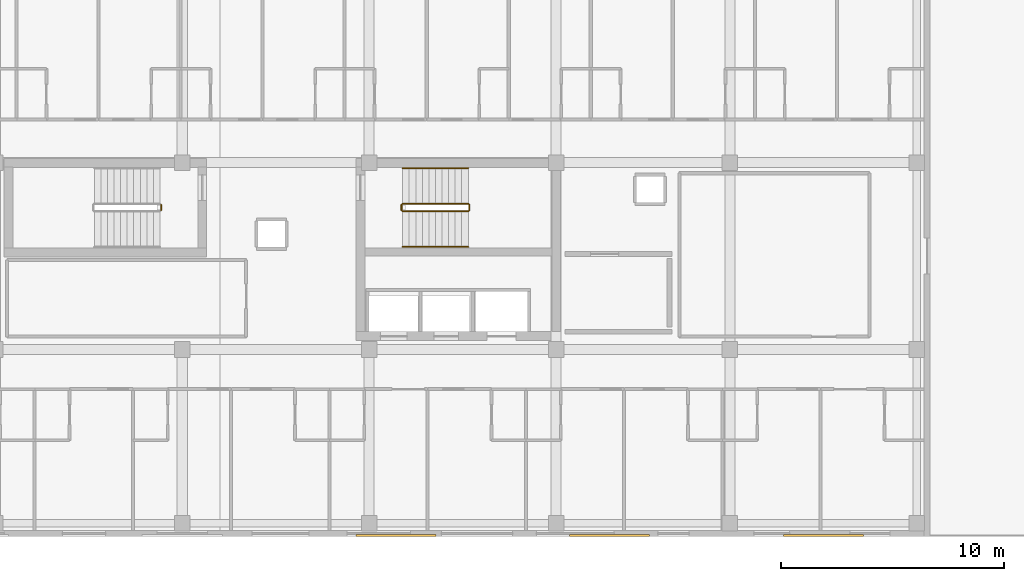
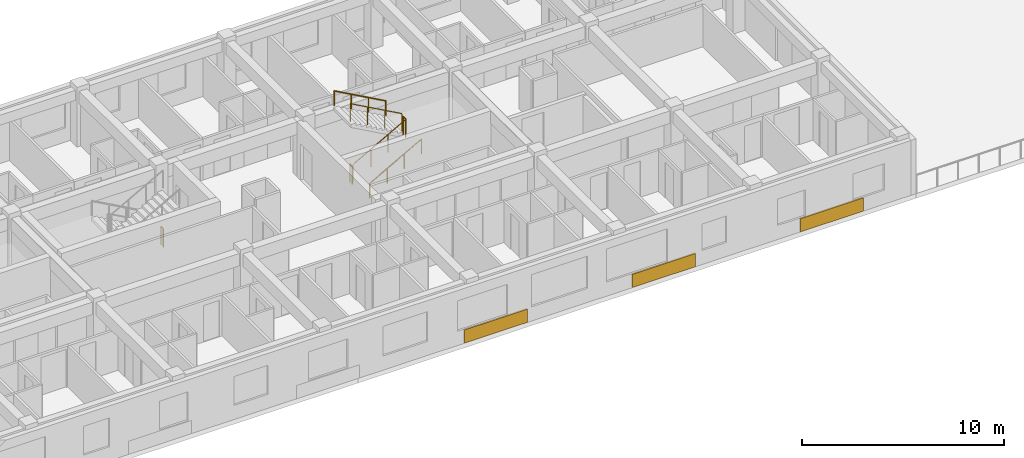
# One storey, part 12 of 13: 7 railings, 3 coverings.
"""IFC4 building model written with IfcOpenShell, lengths in metres."""

from ifc_helpers import new_model, si_unit, direction, frame, origin, origin_2d, place, context, subcontext, project, spatial, rectangle, circle, extrude, material, layer, layer_set, type_object, element, save


model = new_model("IFC4")

# Units and contexts
model_context = context("Model", 3, precision=1e-05, world=origin(), true_north=direction((0.0, 1.0)))
body_context = subcontext(model_context, "Body", "Model", "MODEL_VIEW")
ifc_project = project(units=[si_unit("LENGTHUNIT", "METRE"), si_unit("AREAUNIT", "SQUARE_METRE"), si_unit("VOLUMEUNIT", "CUBIC_METRE"), si_unit("PLANEANGLEUNIT", "RADIAN"), si_unit("MASSUNIT", "GRAM", prefix="KILO")], contexts=[model_context])

# Site, building, storey
site_placement = place(None, origin())
site = spatial("IfcSite", under=ifc_project, at=site_placement, CompositionType="ELEMENT")
building_placement = place(site_placement, origin())
building = spatial("IfcBuilding", under=site, at=building_placement, Name="Zayran Congress Hotel", CompositionType="ELEMENT")
storey_placement = place(building_placement, frame((0.0, 0.0, 22.800048828125)))
storey = spatial("IfcBuildingStorey", under=building, at=storey_placement, Name="L05", CompositionType="ELEMENT", Elevation=22.800048828125)

# Coverings
ifc_material_1 = material(Name="Ochre geometric bas-relief Hajar Ma'ani stone", Category="masonry")
ifc_layer = layer(ifc_material_1, 0.090087890625)
ifc_layer_set = layer_set([ifc_layer], Name="Ochre geometric bas-relief Hajar Ma'ani stone")
covering_type = type_object("IfcCoveringType", Name="TP-CLD-01", PredefinedType="CLADDING", material=ifc_layer_set)
for number, where, z_axis, x_axis, name in (
    (1, (51.60009765625, 8.844970703125, 0.0), (0.0, 0.0, 1.0), (1.0, 0.0, 0.0), "CLD-V5S-L05-4"),
    (2, (61.199951171875, 8.844970703125, 0.0), (0.0, 0.0, 1.0), (1.0, 0.0, 0.0), "CLD-V5S-L05-5"),
    (3, (70.800048828125, 8.844970703125, 0.0), (0.0, 0.0, 1.0), (1.0, 0.0, 0.0), "CLD-V5S-L05-6"),
):
    element("IfcCovering", number, at=place(storey_placement, frame(where, z_axis=z_axis, x_axis=x_axis)), inside=storey, type_object=covering_type, Name=name, PredefinedType="CLADDING", context=body_context, shape_type="SweptSolid", body=[
        extrude(rectangle(XDim=3.60009765625, YDim=0.090087890625, at=origin_2d()), origin(), (0.0, 0.0, 1.0), 0.800048828125),
    ])

# Railings
ifc_material_2 = material(Name="Painted steel balustrade", Category="steel")
railing_type_1 = type_object("IfcRailingType", Name="TP-GRD-INT", PredefinedType="GUARDRAIL", material=ifc_material_2)
railing_1_placement = place(storey_placement, frame((51.89990234375, 23.409912109375, 0.16357421875)))
element("IfcRailing", 4, at=railing_1_placement, inside=storey, type_object=railing_type_1, Name="L05 ST-02 stair guard 1", PredefinedType="GUARDRAIL", context=body_context, shape_type="SweptSolid", body=[
    extrude(circle(Radius=0.02392578125, at=origin_2d()), frame((0.0, 0.0, 1.076171875), z_axis=(0.87447454536, 0.0, 0.485071406616), x_axis=(0.0, 1.0, 0.0)), (0.0, 0.0, 1.0), 3.373779296875),
    extrude(circle(Radius=0.02099609375, at=origin_2d()), origin(), (0.0, 0.0, 1.0), 1.052001953125),
    extrude(circle(Radius=0.02099609375, at=origin_2d()), frame((0.9833984375, 0.0, 0.54541015625)), (0.0, 0.0, 1.0), 1.052001953125),
    extrude(circle(Radius=0.02099609375, at=origin_2d()), frame((1.966796875, 0.0, 1.091064453125)), (0.0, 0.0, 1.0), 1.052001953125),
    extrude(circle(Radius=0.02099609375, at=origin_2d()), frame((2.9501953125, 0.0, 1.636474609375)), (0.0, 0.0, 1.0), 1.052001953125),
])
railing_2_placement = place(storey_placement, frame((54.89990234375, 23.4599609375, 1.800048828125)))
element("IfcRailing", 5, at=railing_2_placement, inside=storey, type_object=railing_type_1, Name="L05 ST-02 stair guard 2", PredefinedType="GUARDRAIL", context=body_context, shape_type="SweptSolid", body=[
    extrude(circle(Radius=0.02392578125, at=origin_2d()), frame((0.0, 0.0, 1.076171875), z_axis=(0.0, 1.0, 0.0), x_axis=(-1.0, 0.0, 0.0)), (0.0, 0.0, 1.0), 0.239990234375),
    extrude(circle(Radius=0.02099609375, at=origin_2d()), origin(), (0.0, 0.0, 1.0), 1.052001953125),
    extrude(circle(Radius=0.02099609375, at=origin_2d()), frame((0.0, 0.239990234375, 0.0)), (0.0, 0.0, 1.0), 1.052001953125),
])
railing_3_placement = place(storey_placement, frame((54.85009765625, 23.75, 1.963623046875)))
element("IfcRailing", 6, at=railing_3_placement, inside=storey, type_object=railing_type_1, Name="L05 ST-02 stair guard 3", PredefinedType="GUARDRAIL", context=body_context, shape_type="SweptSolid", body=[
    extrude(circle(Radius=0.02392578125, at=origin_2d()), frame((0.0, 0.0, 1.076171875), z_axis=(-0.874505241218, 0.0, 0.485016064767), x_axis=(0.0, -1.0, 0.0)), (0.0, 0.0, 1.0), 3.37353515625),
    extrude(circle(Radius=0.02099609375, at=origin_2d()), origin(), (0.0, 0.0, 1.0), 1.052001953125),
    extrude(circle(Radius=0.02099609375, at=origin_2d()), frame((-0.9833984375, 0.0, 0.54541015625)), (0.0, 0.0, 1.0), 1.052001953125),
    extrude(circle(Radius=0.02099609375, at=origin_2d()), frame((-1.966796875, 0.0, 1.0908203125)), (0.0, 0.0, 1.0), 1.052001953125),
    extrude(circle(Radius=0.02099609375, at=origin_2d()), frame((-2.9501953125, 0.0, 1.63623046875)), (0.0, 0.0, 1.0), 1.052001953125),
])
railing_4_placement = place(storey_placement, frame((51.85009765625, 23.4599609375, 0.0)))
element("IfcRailing", 7, at=railing_4_placement, inside=storey, type_object=railing_type_1, Name="L05 ST-02 stair guard 4", PredefinedType="GUARDRAIL", context=body_context, shape_type="SweptSolid", body=[
    extrude(circle(Radius=0.02392578125, at=origin_2d()), frame((0.0, 0.0, 1.076171875), z_axis=(0.0, 1.0, 0.0), x_axis=(-1.0, 0.0, 0.0)), (0.0, 0.0, 1.0), 0.239990234375),
    extrude(circle(Radius=0.02099609375, at=origin_2d()), origin(), (0.0, 0.0, 1.0), 1.052001953125),
    extrude(circle(Radius=0.02099609375, at=origin_2d()), frame((0.0, 0.239990234375, 0.0)), (0.0, 0.0, 1.0), 1.052001953125),
])
railing_5_placement = place(storey_placement, frame((41.050048828125, 23.699951171875, 0.0)))
element("IfcRailing", 8, at=railing_5_placement, inside=storey, type_object=railing_type_1, Name="L05 ST-13 stair guard 4", PredefinedType="GUARDRAIL", context=body_context, shape_type="SweptSolid", body=[
    extrude(circle(Radius=0.02392578125, at=origin_2d()), frame((0.0, 0.0, 1.076171875), z_axis=(0.0, -1.0, 0.0), x_axis=(1.0, 0.0, 0.0)), (0.0, 0.0, 1.0), 0.239990234375),
    extrude(circle(Radius=0.02099609375, at=origin_2d()), origin(), (0.0, 0.0, 1.0), 1.052001953125),
    extrude(circle(Radius=0.02099609375, at=origin_2d()), frame((0.0, -0.239990234375, 0.0)), (0.0, 0.0, 1.0), 1.052001953125),
])
ifc_material_3 = material(Name="Brushed stainless steel handrail", Category="steel")
railing_type_2 = type_object("IfcRailingType", Name="TP-HND-STR", PredefinedType="HANDRAIL", material=ifc_material_3)
railing_6_placement = place(storey_placement, frame((51.89990234375, 21.81005859375, 0.16357421875)))
element("IfcRailing", 9, at=railing_6_placement, inside=storey, type_object=railing_type_2, Name="L05 ST-02 stair handrail 1", PredefinedType="HANDRAIL", context=body_context, shape_type="SweptSolid", body=[
    extrude(circle(Radius=0.02392578125, at=origin_2d()), frame((0.0, 0.0, 0.8759765625), z_axis=(0.87447454536, 0.0, 0.485071406616), x_axis=(0.0, 1.0, 0.0)), (0.0, 0.0, 1.0), 3.373779296875),
    extrude(circle(Radius=0.02099609375, at=origin_2d()), origin(), (0.0, 0.0, 1.0), 0.851806640625),
    extrude(circle(Radius=0.02099609375, at=origin_2d()), frame((0.9833984375, 0.0, 0.54541015625)), (0.0, 0.0, 1.0), 0.851806640625),
    extrude(circle(Radius=0.02099609375, at=origin_2d()), frame((1.966796875, 0.0, 1.091064453125)), (0.0, 0.0, 1.0), 0.851806640625),
    extrude(circle(Radius=0.02099609375, at=origin_2d()), frame((2.9501953125, 0.0, 1.636474609375)), (0.0, 0.0, 1.0), 0.851806640625),
])
railing_7_placement = place(storey_placement, frame((54.85009765625, 25.35009765625, 1.963623046875)))
element("IfcRailing", 10, at=railing_7_placement, inside=storey, type_object=railing_type_2, Name="L05 ST-02 stair handrail 2", PredefinedType="HANDRAIL", context=body_context, shape_type="SweptSolid", body=[
    extrude(circle(Radius=0.02392578125, at=origin_2d()), frame((0.0, 0.0, 0.8759765625), z_axis=(-0.874505241218, 0.0, 0.485016064767), x_axis=(0.0, -1.0, 0.0)), (0.0, 0.0, 1.0), 3.37353515625),
    extrude(circle(Radius=0.02099609375, at=origin_2d()), origin(), (0.0, 0.0, 1.0), 0.851806640625),
    extrude(circle(Radius=0.02099609375, at=origin_2d()), frame((-0.9833984375, 0.0, 0.54541015625)), (0.0, 0.0, 1.0), 0.851806640625),
    extrude(circle(Radius=0.02099609375, at=origin_2d()), frame((-1.966796875, 0.0, 1.0908203125)), (0.0, 0.0, 1.0), 0.851806640625),
    extrude(circle(Radius=0.02099609375, at=origin_2d()), frame((-2.9501953125, 0.0, 1.63623046875)), (0.0, 0.0, 1.0), 0.851806640625),
])

save(model, "model.ifc")
